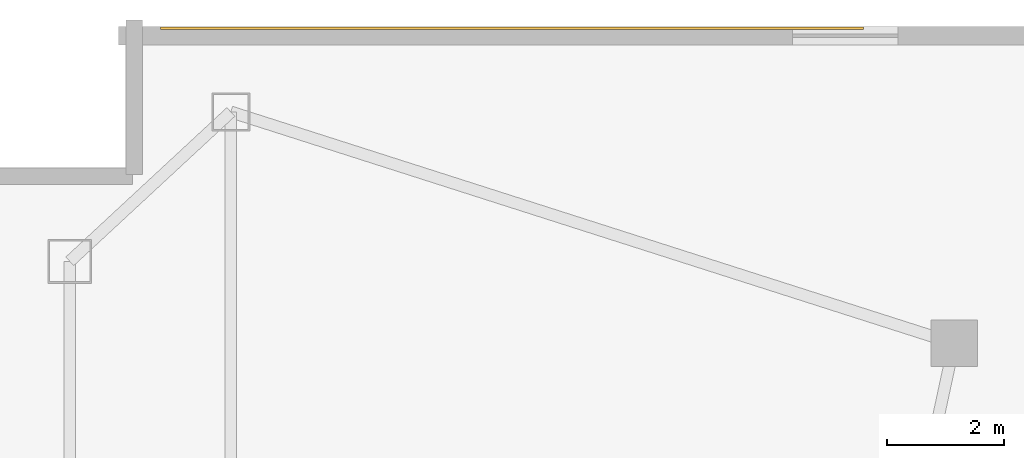
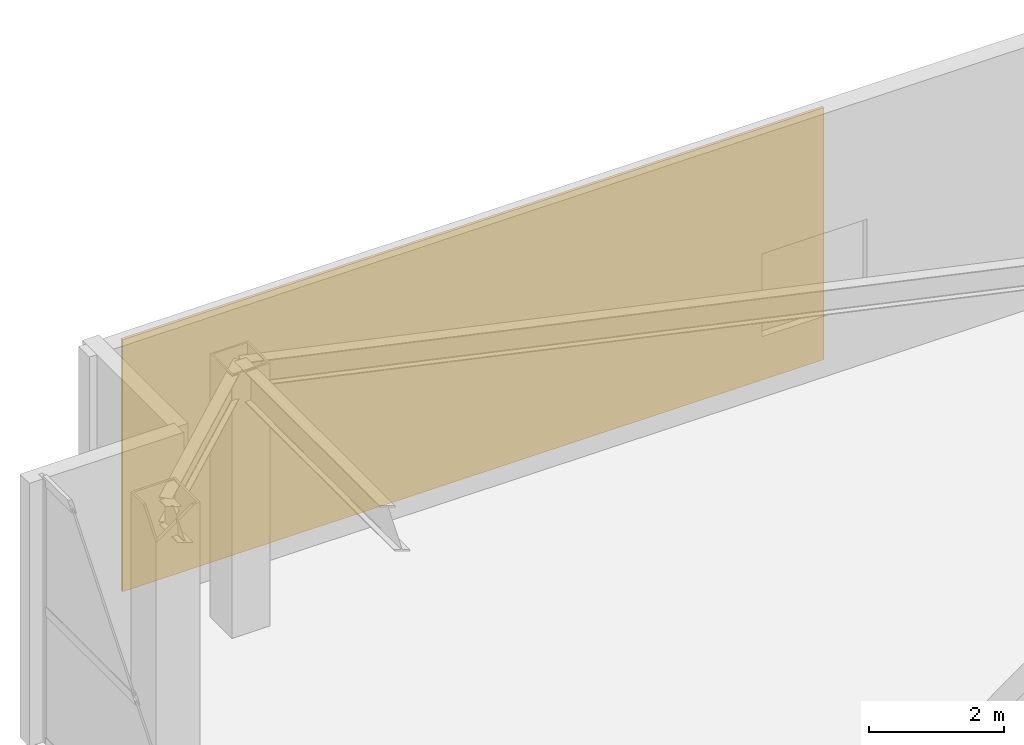
# One storey, part 20 of 20: 1 covering.
"""IFC4 building model written with IfcOpenShell, lengths in metres."""

from ifc_helpers import new_model, si_unit, direction, frame, origin, origin_2d, place, context, subcontext, project, spatial, rectangle, extrude, material, layer, layer_set, type_object, element, save


model = new_model("IFC4")

# Units and contexts
model_context = context("Model", 3, precision=1e-05, world=origin(), true_north=direction((0.0, 1.0)))
body_context = subcontext(model_context, "Body", "Model", "MODEL_VIEW")
ifc_project = project(units=[si_unit("LENGTHUNIT", "METRE"), si_unit("AREAUNIT", "SQUARE_METRE"), si_unit("VOLUMEUNIT", "CUBIC_METRE"), si_unit("PLANEANGLEUNIT", "RADIAN"), si_unit("MASSUNIT", "GRAM", prefix="KILO")], contexts=[model_context])

# Site, building, storey
site_placement = place(None, origin())
site = spatial("IfcSite", under=ifc_project, at=site_placement, CompositionType="ELEMENT")
building_placement = place(site_placement, origin())
building = spatial("IfcBuilding", under=site, at=building_placement, Name="Calvorn Quay Hotel", CompositionType="ELEMENT")
storey_placement = place(building_placement, frame((0.0, 0.0, 340.5)))
storey = spatial("IfcBuildingStorey", under=building, at=storey_placement, Name="L83", CompositionType="ELEMENT", Elevation=340.5)

# Covering
ifc_material = material(Name="Pale Anodised Aluminium Rainscreen Cladding", Category="aluminium")
ifc_layer = layer(ifc_material, 0.044921875)
ifc_layer_set = layer_set([ifc_layer], Name="COV-CROWN-CLAD")
covering_type = type_object("IfcCoveringType", Name="COV-CROWN-CLAD", PredefinedType="CLADDING", material=ifc_layer_set)
covering_placement = place(storey_placement, frame((9.0, 50.97998046875, 0.099853515625), z_axis=(0.0, 0.0, 1.0), x_axis=(1.0, 0.0, 0.0)))
element("IfcCovering", 1, at=covering_placement, inside=storey, type_object=covering_type, Name="Crown Pale-Metal Cladding (L83)", PredefinedType="CLADDING", context=body_context, shape_type="SweptSolid", body=[
    extrude(rectangle(XDim=12.0, YDim=0.044921875, at=origin_2d()), origin(), (0.0, 0.0, 1.0), 4.56005859375),
])

save(model, "model.ifc")
